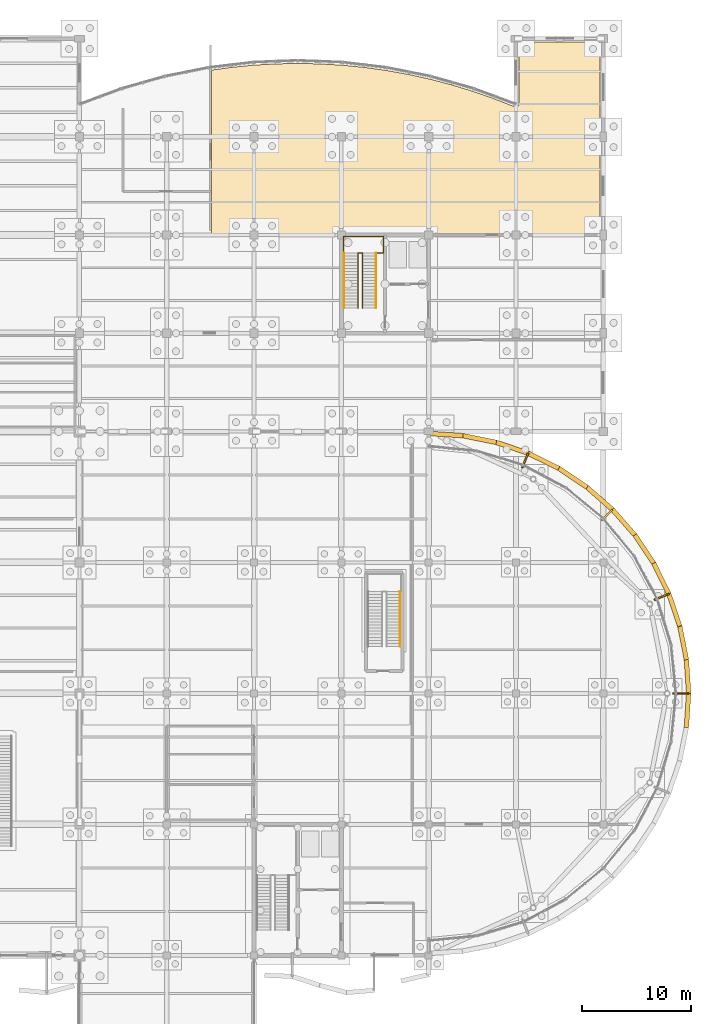
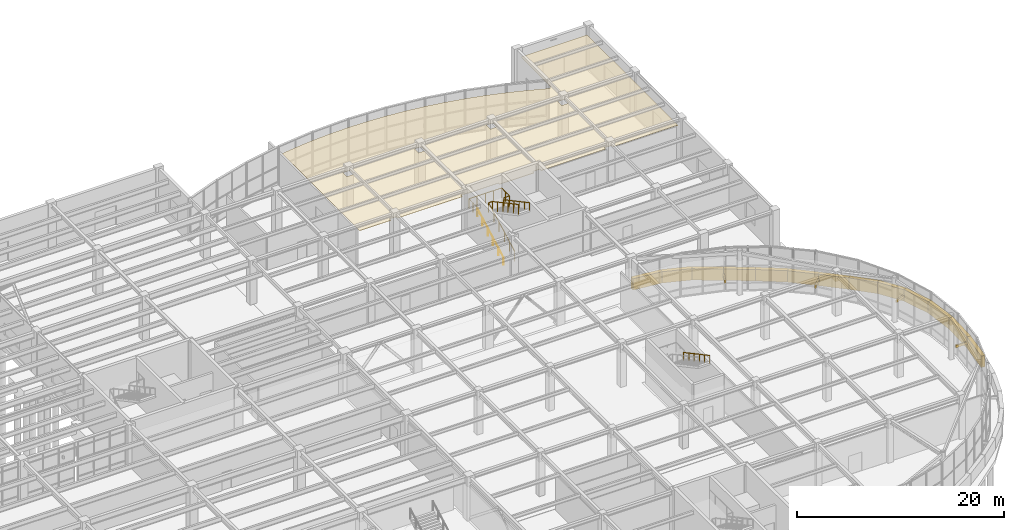
# One storey, part 82 of 85: 18 coverings, 5 railings.
"""IFC4 building model written with IfcOpenShell, lengths in metres."""

from ifc_helpers import new_model, si_unit, direction, frame, frame_2d, origin, origin_2d, place, context, subcontext, project, spatial, polyline, rectangle, circle, outline, extrude, material, layer, layer_set, type_object, element, save


model = new_model("IFC4")

# Units and contexts
model_context = context("Model", 3, precision=1e-05, world=origin(), true_north=direction((0.0, 1.0)))
body_context = subcontext(model_context, "Body", "Model", "MODEL_VIEW")
ifc_project = project(units=[si_unit("LENGTHUNIT", "METRE"), si_unit("AREAUNIT", "SQUARE_METRE"), si_unit("VOLUMEUNIT", "CUBIC_METRE"), si_unit("PLANEANGLEUNIT", "RADIAN"), si_unit("MASSUNIT", "GRAM", prefix="KILO")], contexts=[model_context])

# Site, building, storey
site_placement = place(None, origin())
site = spatial("IfcSite", under=ifc_project, at=site_placement, CompositionType="ELEMENT")
building_placement = place(site_placement, origin())
building = spatial("IfcBuilding", under=site, at=building_placement, Name="Keelwater Ferry Terminal", CompositionType="ELEMENT")
storey_placement = place(building_placement, origin())
storey = spatial("IfcBuildingStorey", under=building, at=storey_placement, Name="L00", CompositionType="ELEMENT", Elevation=0.0)

# Covering
ifc_material_1 = material(Name="Perforated acoustic gypsum board ceiling", Category="gypsum")
ifc_layer_1 = layer(ifc_material_1, 0.044921875)
ifc_layer_set_1 = layer_set([ifc_layer_1], Name="Perforated acoustic gypsum board ceiling")
covering_type_1 = type_object("IfcCoveringType", Name="CL-AC Acoustic Baffle Ceiling", PredefinedType="CEILING", material=ifc_layer_set_1)
covering_1_placement = place(storey_placement, frame((0.0, 0.0, 4.10009765625)))
element("IfcCovering", 1, at=covering_1_placement, inside=storey, type_object=covering_type_1, Name="Quayside Espresso Cafe Acoustic Ceiling", PredefinedType="CEILING", context=body_context, shape_type="SweptSolid", body=[
    extrude(outline(polyline([(147.91796875, 123.55908203125), (147.9208984375, 123.55908203125), (149.95703125, 123.678955078125), (149.9599609375, 123.678955078125), (151.47509765625, 123.708984375), (152.0, 123.719970703125), (152.52490234375, 123.708984375), (154.0400390625, 123.678955078125), (154.04296875, 123.678955078125), (156.0791015625, 123.55908203125), (156.08203125, 123.55908203125), (158.10888671875, 123.35791015625), (158.112060546875, 123.35693359375), (160.132080078125, 123.075927734375), (160.135009765625, 123.075927734375), (162.10888671875, 122.720947265625), (162.14208984375, 122.716064453125), (162.14404296875, 122.715087890625), (162.263916015625, 122.68896484375), (164.136962890625, 122.27587890625), (166.112060546875, 121.758056640625), (168.06494140625, 121.162109375), (168.804931640625, 120.904052734375), (169.990966796875, 120.489990234375), (169.993896484375, 120.488037109375), (171.89208984375, 119.741943359375), (171.89208984375, 119.740966796875), (171.89697265625, 119.739013671875), (171.923095703125, 119.73095703125), (171.949951171875, 119.72509765625), (171.97705078125, 119.720947265625), (172.00390625, 119.719970703125), (172.031005859375, 119.721923828125), (172.05810546875, 119.72607421875), (172.083984375, 119.73291015625), (172.110107421875, 119.741943359375), (172.134033203125, 119.75390625), (172.156005859375, 119.76806640625), (172.157958984375, 119.76904296875), (172.158935546875, 119.77001953125), (172.178955078125, 119.784912109375), (172.198974609375, 119.802978515625), (172.218017578125, 119.823974609375), (172.23388671875, 119.845947265625), (172.248046875, 119.868896484375), (172.259033203125, 119.89404296875), (172.26806640625, 119.9189453125), (172.27490234375, 119.946044921875), (172.279052734375, 119.972900390625), (172.280029296875, 120.0), (172.280029296875, 125.60009765625), (172.280029296875, 125.60009765625), (172.280029296875, 125.60791015625), (172.281982421875, 125.615966796875), (172.282958984375, 125.623046875), (172.285888671875, 125.631103515625), (172.2890625, 125.637939453125), (172.29296875, 125.64404296875), (172.298095703125, 125.65087890625), (172.302978515625, 125.656982421875), (172.30908203125, 125.662109375), (172.31591796875, 125.6669921875), (172.322021484375, 125.6708984375), (172.3291015625, 125.674072265625), (172.3369140625, 125.677001953125), (172.343994140625, 125.677978515625), (172.35205078125, 125.679931640625), (172.360107421875, 125.679931640625), (179.60009765625, 125.679931640625), (179.60791015625, 125.679931640625), (179.614990234375, 125.678955078125), (179.614990234375, 125.614990234375), (179.678955078125, 125.614990234375), (179.679931640625, 125.60791015625), (179.679931640625, 125.60009765625), (179.679931640625, 108.199951171875), (179.679931640625, 108.19189453125), (179.677978515625, 108.18408203125), (179.677001953125, 108.177001953125), (179.674072265625, 108.1689453125), (179.6708984375, 108.162109375), (179.6669921875, 108.156005859375), (179.662109375, 108.14892578125), (179.656982421875, 108.14306640625), (179.65087890625, 108.137939453125), (179.64404296875, 108.133056640625), (179.637939453125, 108.12890625), (179.631103515625, 108.1259765625), (179.623046875, 108.123046875), (179.615966796875, 108.1220703125), (179.60791015625, 108.1201171875), (179.60009765625, 108.1201171875), (172.39501953125, 108.1201171875), (172.386962890625, 108.1201171875), (172.385009765625, 108.12109375), (172.385009765625, 108.385009765625), (171.614990234375, 108.385009765625), (171.614990234375, 108.12109375), (171.613037109375, 108.1201171875), (171.60498046875, 108.1201171875), (164.39501953125, 108.1201171875), (164.386962890625, 108.1201171875), (164.385009765625, 108.12109375), (164.385009765625, 108.385009765625), (163.614990234375, 108.385009765625), (163.614990234375, 108.12109375), (163.613037109375, 108.1201171875), (163.60498046875, 108.1201171875), (159.739990234375, 108.1201171875), (159.739990234375, 108.340087890625), (156.385009765625, 108.340087890625), (156.385009765625, 108.385009765625), (155.614990234375, 108.385009765625), (155.614990234375, 108.12109375), (155.613037109375, 108.1201171875), (155.60498046875, 108.1201171875), (148.39501953125, 108.1201171875), (148.386962890625, 108.1201171875), (148.385009765625, 108.12109375), (148.385009765625, 108.385009765625), (147.614990234375, 108.385009765625), (147.614990234375, 108.12109375), (147.613037109375, 108.1201171875), (147.60498046875, 108.1201171875), (144.199951171875, 108.1201171875), (144.19189453125, 108.1201171875), (144.18408203125, 108.1220703125), (144.177001953125, 108.123046875), (144.1689453125, 108.1259765625), (144.162109375, 108.12890625), (144.156005859375, 108.133056640625), (144.14892578125, 108.137939453125), (144.14306640625, 108.14306640625), (144.137939453125, 108.14892578125), (144.133056640625, 108.156005859375), (144.12890625, 108.162109375), (144.1259765625, 108.1689453125), (144.123046875, 108.177001953125), (144.1220703125, 108.18408203125), (144.1201171875, 108.19189453125), (144.1201171875, 108.199951171875), (144.1201171875, 123.0419921875), (144.1201171875, 123.050048828125), (144.12109375, 123.056884765625), (144.123046875, 123.06494140625), (144.1259765625, 123.072021484375), (144.12890625, 123.0791015625), (144.133056640625, 123.0849609375), (144.136962890625, 123.092041015625), (144.14208984375, 123.096923828125), (144.14794921875, 123.10302734375), (144.154052734375, 123.10693359375), (144.159912109375, 123.111083984375), (144.1669921875, 123.114990234375), (144.174072265625, 123.117919921875), (144.180908203125, 123.1201171875), (144.18896484375, 123.12109375), (145.887939453125, 123.35693359375), (145.89111328125, 123.35791015625), (147.91796875, 123.55908203125)]), holes=[polyline([(148.385009765625, 117.385009765625), (147.614990234375, 117.385009765625), (147.614990234375, 116.614990234375), (148.385009765625, 116.614990234375), (148.385009765625, 117.385009765625)]), polyline([(164.385009765625, 117.385009765625), (163.614990234375, 117.385009765625), (163.614990234375, 116.614990234375), (164.385009765625, 116.614990234375), (164.385009765625, 117.385009765625)]), polyline([(156.385009765625, 117.385009765625), (155.614990234375, 117.385009765625), (155.614990234375, 116.614990234375), (156.385009765625, 116.614990234375), (156.385009765625, 117.385009765625)]), polyline([(171.614990234375, 117.385009765625), (171.614990234375, 116.614990234375), (172.385009765625, 116.614990234375), (172.385009765625, 117.385009765625), (171.614990234375, 117.385009765625)])]), origin(), (0.0, 0.0, 1.0), 0.044921875),
])

# Railings
ifc_material_2 = material(Name="Painted Steel S355", Category="steel")
railing_type_1 = type_object("IfcRailingType", Name="GR-115 Stair Well Guardrail", PredefinedType="GUARDRAIL", material=ifc_material_2)
railing_1_placement = place(storey_placement, frame((157.510009765625, 101.300048828125, 0.0)))
element("IfcRailing", 2, at=railing_1_placement, inside=storey, type_object=railing_type_1, Name="Stair ST-C3-L00 Inner Well Guard 41", PredefinedType="GUARDRAIL", context=body_context, shape_type="SweptSolid", body=[
    extrude(circle(Radius=0.02392578125, at=origin_2d()), frame((0.0, 0.0, 1.1259765625), z_axis=(0.0, 0.881485048194, 0.472211933151), x_axis=(-1.0, 0.0, 0.0)), (0.0, 0.0, 1.0), 5.7177734375),
    extrude(circle(Radius=0.02392578125, at=origin_2d()), frame((0.0, 5.0400390625, 3.82568359375), z_axis=(1.0, 0.0, 0.0), x_axis=(0.0, 1.0, 0.0)), (0.0, 0.0, 1.0), 0.419921875),
    extrude(circle(Radius=0.02392578125, at=origin_2d()), frame((0.419921875, 5.0400390625, 3.82568359375), z_axis=(0.0, -0.881485048194, 0.472211933151), x_axis=(1.0, 0.0, 0.0)), (0.0, 0.0, 1.0), 5.7177734375),
    extrude(circle(Radius=0.02099609375, at=origin_2d()), origin(), (0.0, 0.0, 1.0), 1.101806640625),
    extrude(circle(Radius=0.02099609375, at=origin_2d()), frame((0.0, 1.008056640625, 0.5400390625)), (0.0, 0.0, 1.0), 1.101806640625),
    extrude(circle(Radius=0.02099609375, at=origin_2d()), frame((0.0, 2.01611328125, 1.080078125)), (0.0, 0.0, 1.0), 1.101806640625),
    extrude(circle(Radius=0.02099609375, at=origin_2d()), frame((0.0, 3.02392578125, 1.619873046875)), (0.0, 0.0, 1.0), 1.101806640625),
    extrude(circle(Radius=0.02099609375, at=origin_2d()), frame((0.0, 4.031982421875, 2.159912109375)), (0.0, 0.0, 1.0), 1.101806640625),
    extrude(circle(Radius=0.02099609375, at=origin_2d()), frame((0.0, 5.0400390625, 2.699951171875)), (0.0, 0.0, 1.0), 1.101806640625),
    extrude(circle(Radius=0.02099609375, at=origin_2d()), frame((0.419921875, 5.0400390625, 2.699951171875)), (0.0, 0.0, 1.0), 1.101806640625),
    extrude(circle(Radius=0.02099609375, at=origin_2d()), frame((0.419921875, 4.031982421875, 3.239990234375)), (0.0, 0.0, 1.0), 1.101806640625),
    extrude(circle(Radius=0.02099609375, at=origin_2d()), frame((0.419921875, 3.02392578125, 3.780029296875)), (0.0, 0.0, 1.0), 1.101806640625),
    extrude(circle(Radius=0.02099609375, at=origin_2d()), frame((0.419921875, 2.01611328125, 4.31982421875)), (0.0, 0.0, 1.0), 1.101806640625),
    extrude(circle(Radius=0.02099609375, at=origin_2d()), frame((0.419921875, 1.008056640625, 4.85986328125)), (0.0, 0.0, 1.0), 1.101806640625),
    extrude(circle(Radius=0.02099609375, at=origin_2d()), frame((0.419921875, 0.0, 5.39990234375)), (0.0, 0.0, 1.0), 1.101806640625),
])
railing_2_placement = place(storey_placement, frame((156.199951171875, 106.340087890625, 2.699951171875)))
element("IfcRailing", 3, at=railing_2_placement, inside=storey, type_object=railing_type_1, Name="Stair ST-C3-L00 Half-Landing Guard 42", PredefinedType="GUARDRAIL", context=body_context, shape_type="SweptSolid", body=[
    extrude(circle(Radius=0.02392578125, at=origin_2d()), frame((0.0, 0.0, 1.1259765625), z_axis=(-1.0, 0.0, 0.0), x_axis=(0.0, -1.0, 0.0)), (0.0, 0.0, 1.0), 0.02001953125),
    extrude(circle(Radius=0.02392578125, at=origin_2d()), frame((-0.02001953125, 0.0, 1.1259765625), z_axis=(0.0, 1.0, 0.0), x_axis=(-1.0, 0.0, 0.0)), (0.0, 0.0, 1.0), 1.530029296875),
    extrude(circle(Radius=0.02392578125, at=origin_2d()), frame((-0.02001953125, 1.530029296875, 1.1259765625), z_axis=(1.0, 0.0, 0.0), x_axis=(0.0, 1.0, 0.0)), (0.0, 0.0, 1.0), 3.670166015625),
    extrude(circle(Radius=0.02392578125, at=origin_2d()), frame((3.650146484375, 1.530029296875, 1.1259765625), z_axis=(0.0, -1.0, 0.0), x_axis=(1.0, 0.0, 0.0)), (0.0, 0.0, 1.0), 1.530029296875),
    extrude(circle(Radius=0.02392578125, at=origin_2d()), frame((3.650146484375, 0.0, 1.1259765625), z_axis=(-1.0, 0.0, 0.0), x_axis=(0.0, -1.0, 0.0)), (0.0, 0.0, 1.0), 0.610107421875),
    extrude(circle(Radius=0.02099609375, at=origin_2d()), origin(), (0.0, 0.0, 1.0), 1.101806640625),
    extrude(circle(Radius=0.02099609375, at=origin_2d()), frame((-0.02001953125, 0.0, 0.0)), (0.0, 0.0, 1.0), 1.101806640625),
    extrude(circle(Radius=0.02099609375, at=origin_2d()), frame((-0.02001953125, 0.76513671875, 0.0)), (0.0, 0.0, 1.0), 1.101806640625),
    extrude(circle(Radius=0.02099609375, at=origin_2d()), frame((-0.02001953125, 1.530029296875, 0.0)), (0.0, 0.0, 1.0), 1.101806640625),
    extrude(circle(Radius=0.02099609375, at=origin_2d()), frame((0.8974609375, 1.530029296875, 0.0)), (0.0, 0.0, 1.0), 1.101806640625),
    extrude(circle(Radius=0.02099609375, at=origin_2d()), frame((1.81494140625, 1.530029296875, 0.0)), (0.0, 0.0, 1.0), 1.101806640625),
    extrude(circle(Radius=0.02099609375, at=origin_2d()), frame((2.732666015625, 1.530029296875, 0.0)), (0.0, 0.0, 1.0), 1.101806640625),
    extrude(circle(Radius=0.02099609375, at=origin_2d()), frame((3.650146484375, 1.530029296875, 0.0)), (0.0, 0.0, 1.0), 1.101806640625),
    extrude(circle(Radius=0.02099609375, at=origin_2d()), frame((3.650146484375, 0.76513671875, 0.0)), (0.0, 0.0, 1.0), 1.101806640625),
    extrude(circle(Radius=0.02099609375, at=origin_2d()), frame((3.650146484375, 0.0, 0.0)), (0.0, 0.0, 1.0), 1.101806640625),
    extrude(circle(Radius=0.02099609375, at=origin_2d()), frame((3.0400390625, 0.0, 0.0)), (0.0, 0.0, 1.0), 1.101806640625),
])
ifc_material_3 = material(Name="Brushed stainless steel handrail", Category="steel")
railing_type_2 = type_object("IfcRailingType", Name="HR-920 Stair Pitch Handrail", PredefinedType="HANDRAIL", material=ifc_material_3)
railing_3_placement = place(storey_placement, frame((156.260009765625, 101.300048828125, 0.0)))
element("IfcRailing", 4, at=railing_3_placement, inside=storey, type_object=railing_type_2, Name="Stair ST-C3-L00 Flight 1 Handrail 43", PredefinedType="HANDRAIL", context=body_context, shape_type="SweptSolid", body=[
    extrude(circle(Radius=0.02392578125, at=origin_2d()), frame((0.0, 0.0, 0.89599609375), z_axis=(0.0, 0.881485048194, 0.472211933151), x_axis=(-1.0, 0.0, 0.0)), (0.0, 0.0, 1.0), 5.7177734375),
    extrude(circle(Radius=0.02099609375, at=origin_2d()), origin(), (0.0, 0.0, 1.0), 0.871826171875),
    extrude(circle(Radius=0.02099609375, at=origin_2d()), frame((0.0, 1.008056640625, 0.5400390625)), (0.0, 0.0, 1.0), 0.871826171875),
    extrude(circle(Radius=0.02099609375, at=origin_2d()), frame((0.0, 2.01611328125, 1.080078125)), (0.0, 0.0, 1.0), 0.871826171875),
    extrude(circle(Radius=0.02099609375, at=origin_2d()), frame((0.0, 3.02392578125, 1.619873046875)), (0.0, 0.0, 1.0), 0.871826171875),
    extrude(circle(Radius=0.02099609375, at=origin_2d()), frame((0.0, 4.031982421875, 2.159912109375)), (0.0, 0.0, 1.0), 0.871826171875),
    extrude(circle(Radius=0.02099609375, at=origin_2d()), frame((0.0, 5.0400390625, 2.699951171875)), (0.0, 0.0, 1.0), 0.871826171875),
])
for number, where, name in (
    (5, (159.179931640625, 106.340087890625, 2.699951171875), "Stair ST-C3-L00 Flight 2 Handrail 44"),
    (6, (161.3798828125, 75.340087890625, 2.699951171875), "Stair ST-E5-L00 Flight 2 Handrail 90"),
):
    element("IfcRailing", number, at=place(storey_placement, frame(where)), inside=storey, type_object=railing_type_2, Name=name, PredefinedType="HANDRAIL", context=body_context, shape_type="SweptSolid", body=[
        extrude(circle(Radius=0.02392578125, at=origin_2d()), frame((0.0, 0.0, 0.89599609375), z_axis=(0.0, -0.881485048194, 0.472211933151), x_axis=(1.0, 0.0, 0.0)), (0.0, 0.0, 1.0), 5.7177734375),
        extrude(circle(Radius=0.02099609375, at=origin_2d()), origin(), (0.0, 0.0, 1.0), 0.871826171875),
        extrude(circle(Radius=0.02099609375, at=origin_2d()), frame((0.0, -1.008056640625, 0.5400390625)), (0.0, 0.0, 1.0), 0.871826171875),
        extrude(circle(Radius=0.02099609375, at=origin_2d()), frame((0.0, -2.01611328125, 1.080078125)), (0.0, 0.0, 1.0), 0.871826171875),
        extrude(circle(Radius=0.02099609375, at=origin_2d()), frame((0.0, -3.02392578125, 1.619873046875)), (0.0, 0.0, 1.0), 0.871826171875),
        extrude(circle(Radius=0.02099609375, at=origin_2d()), frame((0.0, -4.031982421875, 2.159912109375)), (0.0, 0.0, 1.0), 0.871826171875),
        extrude(circle(Radius=0.02099609375, at=origin_2d()), frame((0.0, -5.0400390625, 2.699951171875)), (0.0, 0.0, 1.0), 0.871826171875),
    ])

# Coverings
ifc_material_4 = material(Name="Matte white architectural aluminium fascia ribbon", Category="aluminium")
ifc_layer_2 = layer(ifc_material_4, 0.1201171875)
ifc_layer_set_2 = layer_set([ifc_layer_2], Name="Matte white architectural aluminium fascia ribbon")
covering_type_2 = type_object("IfcCoveringType", Name="RB-WHT Matte White Fascia Ribbon", PredefinedType="CLADDING", material=ifc_layer_set_2)
covering_2_placement = place(storey_placement, frame((187.614013671875, 62.865966796875, 0.25), z_axis=(0.0, 0.0, 1.0), x_axis=(0.065705147067, 0.997839082041, 0.0)))
element("IfcCovering", 7, at=covering_2_placement, inside=storey, type_object=covering_type_2, Name="Quay Plinth Wave Fascia Ribbon 692", PredefinedType="CLADDING", context=body_context, shape_type="SweptSolid", body=[
    extrude(outline(polyline([(0.0, 0.0), (3.165771484375, 0.31396484375), (3.165771484375, 1.6640625), (0.0, 1.35009765625), (0.0, 0.0)])), frame((0.0, 0.2099609375, 0.0), z_axis=(0.0, -1.0, 0.0), x_axis=(1.0, 0.0, 0.0)), (0.0, 0.0, 1.0), 0.419921875),
])
covering_3_placement = place(storey_placement, frame((187.822021484375, 65.97509765625, 0.56396484375), z_axis=(0.0, 0.0, 1.0), x_axis=(-0.065705147067, 0.997839082041, 0.0)))
element("IfcCovering", 8, at=covering_3_placement, inside=storey, type_object=covering_type_2, Name="Quay Plinth Wave Fascia Ribbon 696", PredefinedType="CLADDING", context=body_context, shape_type="SweptSolid", body=[
    extrude(outline(polyline([(0.0, 0.0), (3.165771484375, 0.4521484375), (3.165771484375, 1.802001953125), (0.0, 1.35009765625), (0.0, 0.0)])), frame((0.0, 0.2099609375, 0.0), z_axis=(0.0, -1.0, 0.0), x_axis=(1.0, 0.0, 0.0)), (0.0, 0.0, 1.0), 0.419921875),
])
covering_4_placement = place(storey_placement, frame((187.820068359375, 66.0, 1.09912109375), z_axis=(0.0, 0.0, 1.0), x_axis=(-1.0, 0.0, 0.0)))
element("IfcCovering", 9, at=covering_4_placement, inside=storey, type_object=covering_type_2, Name="Ribbon Horizontal Tie Bracket 700", PredefinedType="CLADDING", context=body_context, shape_type="SweptSolid", body=[
    extrude(rectangle(XDim=1.449951171875, YDim=0.159912109375, at=frame_2d((0.72509765625, 0.0))), origin(), (0.0, 0.0, 1.0), 0.27978515625),
])
covering_5_placement = place(storey_placement, frame((187.62109375, 69.083984375, 1.01611328125), z_axis=(0.0, 0.0, 1.0), x_axis=(-0.195196875454, 0.98076407959, 0.0)))
element("IfcCovering", 10, at=covering_5_placement, inside=storey, type_object=covering_type_2, Name="Quay Plinth Wave Fascia Ribbon 706", PredefinedType="CLADDING", context=body_context, shape_type="SweptSolid", body=[
    extrude(outline(polyline([(0.0, 0.0), (3.1669921875, 0.27783203125), (3.1669921875, 1.6279296875), (0.0, 1.349853515625), (0.0, 0.0)])), frame((0.0, 0.2099609375, 0.0), z_axis=(0.0, -1.0, 0.0), x_axis=(1.0, 0.0, 0.0)), (0.0, 0.0, 1.0), 0.419921875),
])
covering_6_placement = place(storey_placement, frame((187.01611328125, 72.14111328125, 1.27490234375), z_axis=(0.0, 0.0, 1.0), x_axis=(-0.321196336342, 0.94701262585, 0.0)))
element("IfcCovering", 11, at=covering_6_placement, inside=storey, type_object=covering_type_2, Name="Quay Plinth Wave Fascia Ribbon 710", PredefinedType="CLADDING", context=body_context, shape_type="SweptSolid", body=[
    extrude(outline(polyline([(0.0, 0.01904296875), (3.16650390625, 0.0), (3.16650390625, 1.35009765625), (0.0, 1.369140625), (0.0, 0.01904296875)])), frame((0.0, 0.2099609375, 0.0), z_axis=(0.0, -1.0, 0.0), x_axis=(1.0, 0.0, 0.0)), (0.0, 0.0, 1.0), 0.419921875),
])
covering_7_placement = place(storey_placement, frame((186.01806640625, 75.093994140625, 0.966064453125), z_axis=(0.0, 0.0, 1.0), x_axis=(-0.442454846905, 0.896790782987, 0.0)))
element("IfcCovering", 12, at=covering_7_placement, inside=storey, type_object=covering_type_2, Name="Quay Plinth Wave Fascia Ribbon 714", PredefinedType="CLADDING", context=body_context, shape_type="SweptSolid", body=[
    extrude(outline(polyline([(0.0, 0.308837890625), (3.16455078125, 0.0), (3.16455078125, 1.349853515625), (0.0, 1.658935546875), (0.0, 0.308837890625)])), frame((0.0, 0.2099609375, 0.0), z_axis=(0.0, -1.0, 0.0), x_axis=(1.0, 0.0, 0.0)), (0.0, 0.0, 1.0), 0.419921875),
])
covering_8_placement = place(storey_placement, frame((186.007080078125, 75.115966796875, 1.81005859375), z_axis=(0.0, 0.0, 1.0), x_axis=(-0.923916320312, -0.382594606681, 0.0)))
element("IfcCovering", 13, at=covering_8_placement, inside=storey, type_object=covering_type_2, Name="Ribbon Horizontal Tie Bracket 718", PredefinedType="CLADDING", context=body_context, shape_type="SweptSolid", body=[
    extrude(rectangle(XDim=1.450439453125, YDim=0.159912109375, at=frame_2d((0.72509765625, 0.0))), origin(), (0.0, 0.0, 1.0), 0.280029296875),
])
covering_9_placement = place(storey_placement, frame((184.64306640625, 77.888916015625, 0.506103515625), z_axis=(0.0, 0.0, 1.0), x_axis=(-0.55550058618, 0.831516144614, 0.0)))
element("IfcCovering", 14, at=covering_9_placement, inside=storey, type_object=covering_type_2, Name="Quay Plinth Wave Fascia Ribbon 725", PredefinedType="CLADDING", context=body_context, shape_type="SweptSolid", body=[
    extrude(outline(polyline([(0.0, 0.4599609375), (3.16650390625, 0.0), (3.16650390625, 1.349853515625), (0.0, 1.809814453125), (0.0, 0.4599609375)])), frame((0.0, 0.2099609375, 0.0), z_axis=(0.0, -1.0, 0.0), x_axis=(1.0, 0.0, 0.0)), (0.0, 0.0, 1.0), 0.419921875),
])
covering_10_placement = place(storey_placement, frame((182.9140625, 80.48193359375, 0.25), z_axis=(0.0, 0.0, 1.0), x_axis=(-0.65931776004, 0.75186441018, 0.0)))
element("IfcCovering", 15, at=covering_10_placement, inside=storey, type_object=covering_type_2, Name="Quay Plinth Wave Fascia Ribbon 729", PredefinedType="CLADDING", context=body_context, shape_type="SweptSolid", body=[
    extrude(outline(polyline([(0.0, 0.256103515625), (3.16552734375, 0.0), (3.16552734375, 1.35009765625), (0.0, 1.60595703125), (0.0, 0.256103515625)])), frame((0.0, 0.2099609375, 0.0), z_axis=(0.0, -1.0, 0.0), x_axis=(1.0, 0.0, 0.0)), (0.0, 0.0, 1.0), 0.419921875),
])
covering_11_placement = place(storey_placement, frame((180.862060546875, 82.826904296875, 0.25), z_axis=(0.0, 0.0, 1.0), x_axis=(-0.75186441018, 0.65931776004, 0.0)))
element("IfcCovering", 16, at=covering_11_placement, inside=storey, type_object=covering_type_2, Name="Quay Plinth Wave Fascia Ribbon 733", PredefinedType="CLADDING", context=body_context, shape_type="SweptSolid", body=[
    extrude(outline(polyline([(0.0, 0.0), (3.16552734375, 0.0), (3.16552734375, 1.35009765625), (0.0, 1.35009765625), (0.0, 0.0)])), frame((0.0, 0.2099609375, 0.0), z_axis=(0.0, -1.0, 0.0), x_axis=(1.0, 0.0, 0.0)), (0.0, 0.0, 1.0), 0.419921875),
])
covering_12_placement = place(storey_placement, frame((180.843017578125, 82.843017578125, 0.784912109375), z_axis=(0.0, 0.0, 1.0), x_axis=(-0.707106781187, -0.707106781187, 0.0)))
element("IfcCovering", 17, at=covering_12_placement, inside=storey, type_object=covering_type_2, Name="Ribbon Horizontal Tie Bracket 737", PredefinedType="CLADDING", context=body_context, shape_type="SweptSolid", body=[
    extrude(rectangle(XDim=1.449462890625, YDim=0.159912109375, at=frame_2d((0.724609375, 0.0))), origin(), (0.0, 0.0, 1.0), 0.280029296875),
])
covering_13_placement = place(storey_placement, frame((178.52197265625, 84.884033203125, 0.25), z_axis=(0.0, 0.0, 1.0), x_axis=(-0.831516144614, 0.55550058618, 0.0)))
element("IfcCovering", 18, at=covering_13_placement, inside=storey, type_object=covering_type_2, Name="Quay Plinth Wave Fascia Ribbon 745", PredefinedType="CLADDING", context=body_context, shape_type="SweptSolid", body=[
    extrude(outline(polyline([(0.0, 0.0), (3.16650390625, 0.0), (3.16650390625, 1.35009765625), (0.0, 1.35009765625), (0.0, 0.0)])), frame((0.0, 0.2099609375, 0.0), z_axis=(0.0, -1.0, 0.0), x_axis=(1.0, 0.0, 0.0)), (0.0, 0.0, 1.0), 0.419921875),
])
covering_14_placement = place(storey_placement, frame((175.931884765625, 86.617919921875, 0.25), z_axis=(0.0, 0.0, 1.0), x_axis=(-0.896790782987, 0.442454846905, 0.0)))
element("IfcCovering", 19, at=covering_14_placement, inside=storey, type_object=covering_type_2, Name="Quay Plinth Wave Fascia Ribbon 749", PredefinedType="CLADDING", context=body_context, shape_type="SweptSolid", body=[
    extrude(outline(polyline([(0.0, 0.0), (3.16455078125, 0.199951171875), (3.16455078125, 1.550048828125), (0.0, 1.35009765625), (0.0, 0.0)])), frame((0.0, 0.2099609375, 0.0), z_axis=(0.0, -1.0, 0.0), x_axis=(1.0, 0.0, 0.0)), (0.0, 0.0, 1.0), 0.419921875),
])
covering_15_placement = place(storey_placement, frame((173.139892578125, 87.9990234375, 0.449951171875), z_axis=(0.0, 0.0, 1.0), x_axis=(-0.94701262585, 0.321196336342, 0.0)))
element("IfcCovering", 20, at=covering_15_placement, inside=storey, type_object=covering_type_2, Name="Quay Plinth Wave Fascia Ribbon 753", PredefinedType="CLADDING", context=body_context, shape_type="SweptSolid", body=[
    extrude(outline(polyline([(0.0, 0.0), (3.16650390625, 0.465087890625), (3.16650390625, 1.81494140625), (0.0, 1.35009765625), (0.0, 0.0)])), frame((0.0, 0.2099609375, 0.0), z_axis=(0.0, -1.0, 0.0), x_axis=(1.0, 0.0, 0.0)), (0.0, 0.0, 1.0), 0.419921875),
])
covering_16_placement = place(storey_placement, frame((173.115966796875, 88.007080078125, 0.985107421875), z_axis=(0.0, 0.0, 1.0), x_axis=(-0.382594606681, -0.923916320312, 0.0)))
element("IfcCovering", 21, at=covering_16_placement, inside=storey, type_object=covering_type_2, Name="Ribbon Horizontal Tie Bracket 757", PredefinedType="CLADDING", context=body_context, shape_type="SweptSolid", body=[
    extrude(rectangle(XDim=1.450439453125, YDim=0.159912109375, at=frame_2d((0.72509765625, 0.0))), origin(), (0.0, 0.0, 1.0), 0.27978515625),
])
covering_17_placement = place(storey_placement, frame((170.18994140625, 89.0029296875, 0.9150390625), z_axis=(0.0, 0.0, 1.0), x_axis=(-0.98076407959, 0.195196875454, 0.0)))
element("IfcCovering", 22, at=covering_17_placement, inside=storey, type_object=covering_type_2, Name="Quay Plinth Wave Fascia Ribbon 763", PredefinedType="CLADDING", context=body_context, shape_type="SweptSolid", body=[
    extrude(outline(polyline([(0.0, 0.0), (3.1669921875, 0.3359375), (3.1669921875, 1.68603515625), (0.0, 1.349853515625), (0.0, 0.0)])), frame((0.0, 0.2099609375, 0.0), z_axis=(0.0, -1.0, 0.0), x_axis=(1.0, 0.0, 0.0)), (0.0, 0.0, 1.0), 0.419921875),
])
covering_18_placement = place(storey_placement, frame((167.134033203125, 89.614013671875, 1.2509765625), z_axis=(0.0, 0.0, 1.0), x_axis=(-0.997839082041, 0.065705147067, 0.0)))
element("IfcCovering", 23, at=covering_18_placement, inside=storey, type_object=covering_type_2, Name="Quay Plinth Wave Fascia Ribbon 767", PredefinedType="CLADDING", context=body_context, shape_type="SweptSolid", body=[
    extrude(outline(polyline([(0.0, 0.0), (3.165771484375, 0.12890625), (3.165771484375, 1.47900390625), (0.0, 1.35009765625), (0.0, 0.0)])), frame((0.0, 0.2099609375, 0.0), z_axis=(0.0, -1.0, 0.0), x_axis=(1.0, 0.0, 0.0)), (0.0, 0.0, 1.0), 0.419921875),
])

save(model, "model.ifc")
